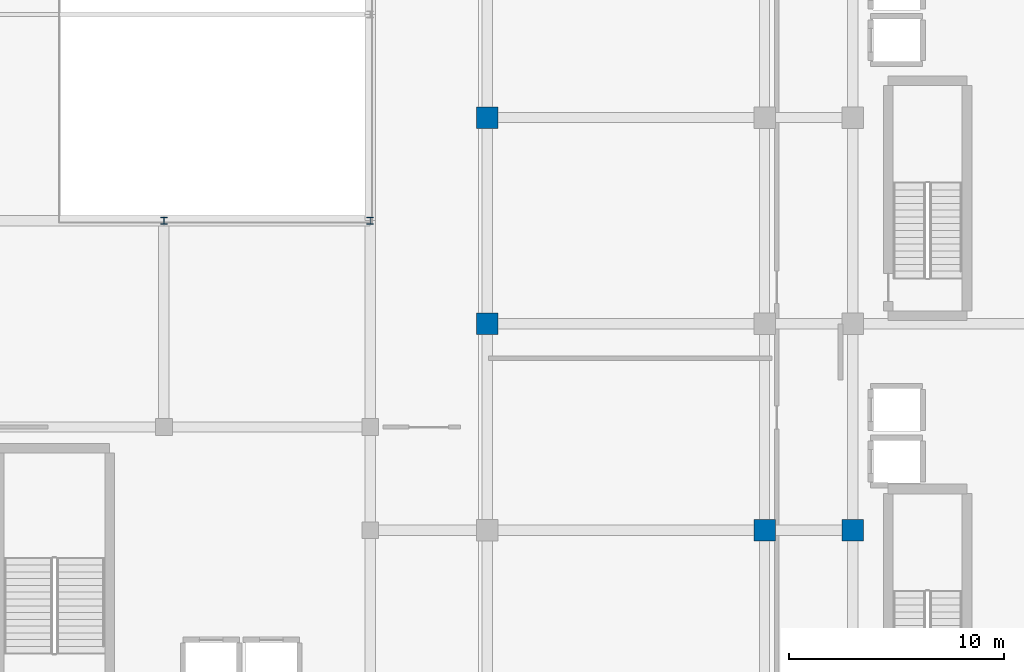
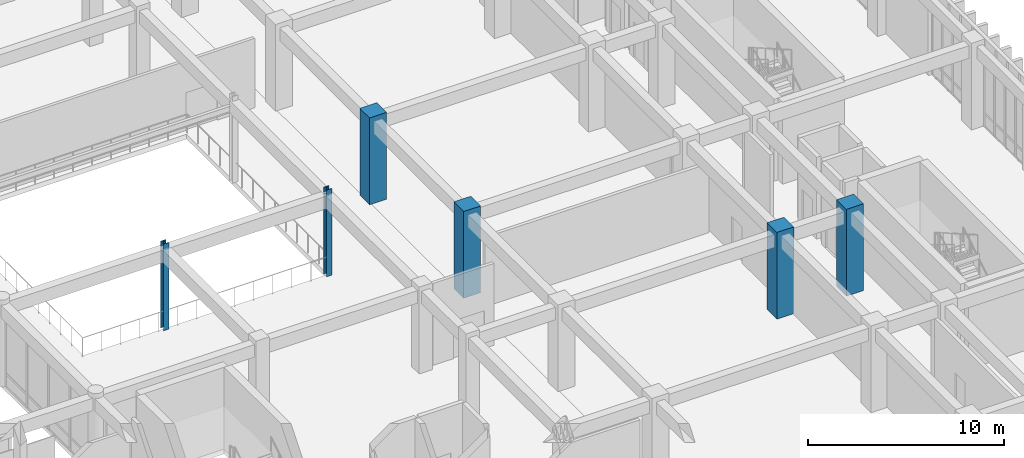
# One storey, part 8 of 134: 6 columns.
"""IFC4 building model written with IfcOpenShell, lengths in metres."""

from ifc_helpers import new_model, si_unit, direction, frame, origin, origin_2d, place, context, subcontext, project, spatial, rectangle, i_section, extrude, material, material_profile, profile_set, type_object, element, save


model = new_model("IFC4")

# Units and contexts
model_context = context("Model", 3, precision=1e-05, world=origin(), true_north=direction((0.0, 1.0)))
body_context = subcontext(model_context, "Body", "Model", "MODEL_VIEW")
ifc_project = project(units=[si_unit("LENGTHUNIT", "METRE"), si_unit("AREAUNIT", "SQUARE_METRE"), si_unit("VOLUMEUNIT", "CUBIC_METRE"), si_unit("PLANEANGLEUNIT", "RADIAN"), si_unit("MASSUNIT", "GRAM", prefix="KILO")], contexts=[model_context])

# Site, building, storey
site_placement = place(None, origin())
site = spatial("IfcSite", under=ifc_project, at=site_placement, CompositionType="ELEMENT")
building_placement = place(site_placement, origin())
building = spatial("IfcBuilding", under=site, at=building_placement, Name="Nakhvara Creek Congress Hotel", CompositionType="ELEMENT")
storey_placement = place(building_placement, frame((0.0, 0.0, 6.0)))
storey = spatial("IfcBuildingStorey", under=building, at=storey_placement, Name="L01", CompositionType="ELEMENT", Elevation=6.0)

# Columns
ifc_material_1 = material(Name="Concrete C50/60", Category="concrete")
ifc_material_profile_1 = material_profile(ifc_material_1, rectangle(XDim=1.0, YDim=1.0, at=origin_2d()), Name="RC-COL 1000x1000", Category="LoadBearing")
ifc_profile_set_1 = profile_set([ifc_material_profile_1], Name="Concrete C50/60")
column_type_1 = type_object("IfcColumnType", Name="COL-RC-1000", PredefinedType="COLUMN", material=ifc_profile_set_1)
for number, where, z_axis, x_axis, name in (
    (1, (149.449951171875, 48.0, 0.0), (0.0, 0.0, 1.0), (1.0, 0.0, 0.0), "Column C02-L01-0985"),
    (2, (149.449951171875, 57.60009765625, 0.0), (0.0, 0.0, 1.0), (1.0, 0.0, 0.0), "Column C02-L01-0986"),
    (3, (162.35009765625, 38.39990234375, 0.0), (0.0, 0.0, 1.0), (1.0, 0.0, 0.0), "Column C02-L01-0998"),
    (4, (166.449951171875, 38.39990234375, 0.0), (0.0, 0.0, 1.0), (1.0, 0.0, 0.0), "Column C02-L01-1012"),
):
    element("IfcColumn", number, at=place(storey_placement, frame(where, z_axis=z_axis, x_axis=x_axis)), inside=storey, type_object=column_type_1, Name=name, PredefinedType="COLUMN", context=body_context, shape_type="SweptSolid", body=[
        extrude(rectangle(XDim=1.0, YDim=1.0, at=origin_2d()), origin(), (0.0, 0.0, 1.0), 5.39990234375),
    ])
ifc_material_2 = material(Name="Steel S355J2", Category="steel")
ifc_material_profile_2 = material_profile(ifc_material_2, i_section(OverallWidth=0.307373046875, OverallDepth=0.314453125, WebThickness=0.011962890625, FlangeThickness=0.018798828125, FilletRadius=0.01513671875, at=origin_2d()), Name="UC 305x305x118", Category="LoadBearing")
ifc_profile_set_2 = profile_set([ifc_material_profile_2], Name="Steel S355J2")
column_type_2 = type_object("IfcColumnType", Name="COL-ST-UC305", PredefinedType="COLUMN", material=ifc_profile_set_2)
for number, where, z_axis, x_axis, name in (
    (5, (134.39990234375, 52.800048828125, 0.0), (0.0, 0.0, 1.0), (1.0, 0.0, 0.0), "Column CS2-L01-0959"),
    (6, (144.0, 52.800048828125, 0.0), (0.0, 0.0, 1.0), (1.0, 0.0, 0.0), "Column CS2-L01-0970"),
):
    element("IfcColumn", number, at=place(storey_placement, frame(where, z_axis=z_axis, x_axis=x_axis)), inside=storey, type_object=column_type_2, Name=name, PredefinedType="COLUMN", context=body_context, shape_type="SweptSolid", body=[
        extrude(i_section(OverallWidth=0.307373046875, OverallDepth=0.314453125, WebThickness=0.011962890625, FlangeThickness=0.018798828125, FilletRadius=0.01513671875, at=origin_2d()), origin(), (0.0, 0.0, 1.0), 5.39990234375),
    ])

save(model, "model.ifc")
